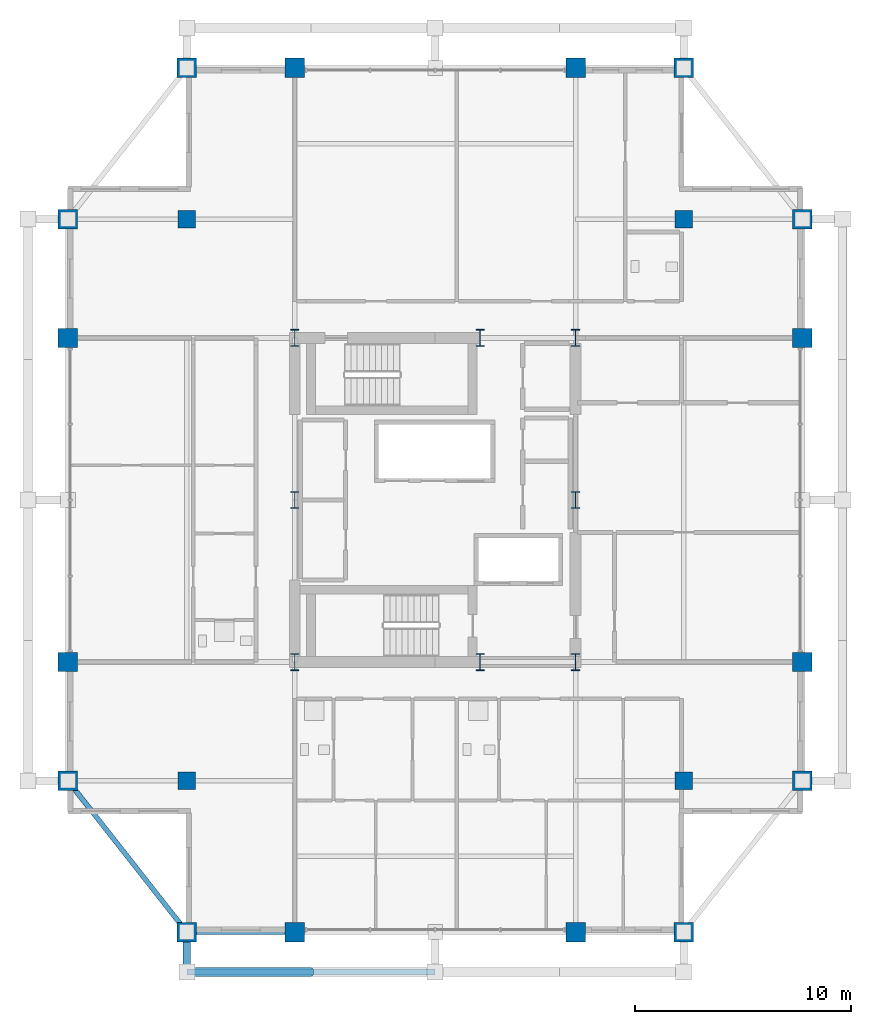
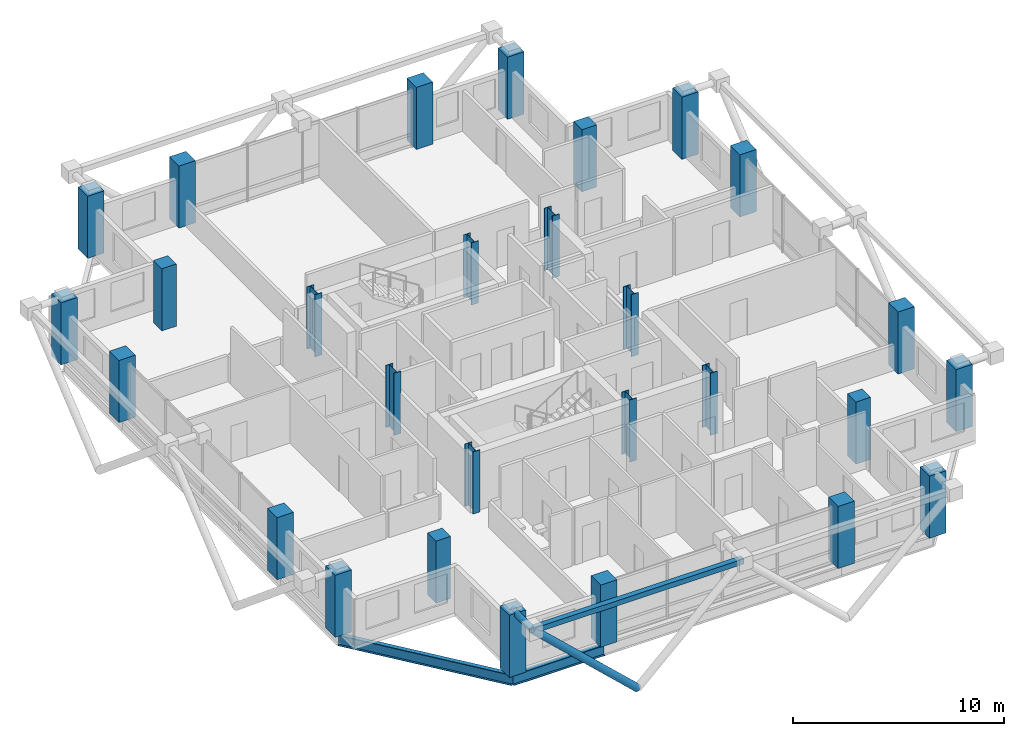
# One storey, part 1 of 25: 28 columns, 3 members, 2 beams.
"""IFC4 building model written with IfcOpenShell, lengths in metres."""

from ifc_helpers import new_model, si_unit, direction, frame, origin, origin_2d, place, context, subcontext, project, spatial, rectangle, hollow_rectangle, hollow_circle, i_section, extrude, material, material_profile, profile_set, type_object, element, save


model = new_model("IFC4")

# Units and contexts
model_context = context("Model", 3, precision=1e-05, world=origin(), true_north=direction((0.0, 1.0)))
body_context = subcontext(model_context, "Body", "Model", "MODEL_VIEW")
ifc_project = project(units=[si_unit("LENGTHUNIT", "METRE"), si_unit("AREAUNIT", "SQUARE_METRE"), si_unit("VOLUMEUNIT", "CUBIC_METRE"), si_unit("PLANEANGLEUNIT", "RADIAN"), si_unit("MASSUNIT", "GRAM", prefix="KILO")], contexts=[model_context])

# Site, building, storey
site_placement = place(None, origin())
site = spatial("IfcSite", under=ifc_project, at=site_placement, CompositionType="ELEMENT")
building_placement = place(site_placement, origin())
building = spatial("IfcBuilding", under=site, at=building_placement, Name="Barlavira Tower and Art Museum", CompositionType="ELEMENT")
storey_placement = place(building_placement, frame((0.0, 0.0, 301.5)))
storey = spatial("IfcBuildingStorey", under=building, at=storey_placement, Name="L79", CompositionType="ELEMENT", Elevation=301.5)

# Columns
ifc_material_1 = material(Name="Steel S355", Category="steel")
ifc_material_profile_1 = material_profile(ifc_material_1, i_section(OverallWidth=0.382080078125, OverallDepth=0.785888671875, WebThickness=0.02001953125, FlangeThickness=0.032958984375, at=origin_2d()), Name="W760x314.0")
ifc_profile_set_1 = profile_set([ifc_material_profile_1], Name="Steel S355")
column_type_1 = type_object("IfcColumnType", Name="Core Composite Column W760x314 Steel S355", PredefinedType="COLUMN", material=ifc_profile_set_1)
for number, where, z_axis, x_axis, name in (
    (1, (-6.5, -7.5, 0.0), (0.0, 0.0, 1.0), (1.0, 0.0, 0.0), "L79 Column CC-L79-C1"),
    (2, (2.080078125, -7.5, 0.0), (0.0, 0.0, 1.0), (1.0, 0.0, 0.0), "L79 Column CC-L79-C2"),
    (3, (6.5, -7.5, 0.0), (0.0, 0.0, 1.0), (1.0, 0.0, 0.0), "L79 Column CC-L79-C3"),
    (4, (-6.5, 0.0, 0.0), (0.0, 0.0, 1.0), (1.0, 0.0, 0.0), "L79 Column CC-L79-C4"),
    (5, (6.5, 0.0, 0.0), (0.0, 0.0, 1.0), (1.0, 0.0, 0.0), "L79 Column CC-L79-C5"),
    (6, (-6.5, 7.5, 0.0), (0.0, 0.0, 1.0), (1.0, 0.0, 0.0), "L79 Column CC-L79-C6"),
    (7, (2.080078125, 7.5, 0.0), (0.0, 0.0, 1.0), (1.0, 0.0, 0.0), "L79 Column CC-L79-C7"),
    (8, (6.5, 7.5, 0.0), (0.0, 0.0, 1.0), (1.0, 0.0, 0.0), "L79 Column CC-L79-C8"),
):
    element("IfcColumn", number, at=place(storey_placement, frame(where, z_axis=z_axis, x_axis=x_axis)), inside=storey, type_object=column_type_1, Name=name, PredefinedType="COLUMN", context=body_context, shape_type="SweptSolid", body=[
        extrude(i_section(OverallWidth=0.382080078125, OverallDepth=0.785888671875, WebThickness=0.02001953125, FlangeThickness=0.032958984375, at=origin_2d()), origin(), (0.0, 0.0, 1.0), 3.60009765625),
    ])
ifc_material_2 = material(Name="Concrete C50", Category="concrete")
ifc_material_profile_2 = material_profile(ifc_material_2, rectangle(XDim=0.89990234375, YDim=0.89990234375, at=origin_2d()), Name="RC-COL 900x900")
ifc_profile_set_2 = profile_set([ifc_material_profile_2], Name="Concrete C50")
column_type_2 = type_object("IfcColumnType", Name="Perimeter Mega Column 900x900 Concrete C50", PredefinedType="USERDEFINED", material=ifc_profile_set_2)
for number, where, z_axis, x_axis, name in (
    (9, (-11.5, -20.0, 0.0), (0.0, 0.0, 1.0), (1.0, 0.0, 0.0), "L79 Column MC-L79-M01"),
    (10, (-6.5, -20.0, 0.0), (0.0, 0.0, 1.0), (1.0, 0.0, 0.0), "L79 Column MC-L79-M02"),
    (11, (6.5, -20.0, 0.0), (0.0, 0.0, 1.0), (1.0, 0.0, 0.0), "L79 Column MC-L79-M03"),
    (12, (11.5, -20.0, 0.0), (0.0, 0.0, 1.0), (1.0, 0.0, 0.0), "L79 Column MC-L79-M04"),
    (13, (17.0, -13.0, 0.0), (0.0, 0.0, 1.0), (1.0, 0.0, 0.0), "L79 Column MC-L79-M05"),
    (14, (17.0, -7.5, 0.0), (0.0, 0.0, 1.0), (1.0, 0.0, 0.0), "L79 Column MC-L79-M06"),
    (15, (17.0, 7.5, 0.0), (0.0, 0.0, 1.0), (1.0, 0.0, 0.0), "L79 Column MC-L79-M07"),
    (16, (17.0, 13.0, 0.0), (0.0, 0.0, 1.0), (1.0, 0.0, 0.0), "L79 Column MC-L79-M08"),
    (17, (11.5, 20.0, 0.0), (0.0, 0.0, 1.0), (1.0, 0.0, 0.0), "L79 Column MC-L79-M09"),
    (18, (6.5, 20.0, 0.0), (0.0, 0.0, 1.0), (1.0, 0.0, 0.0), "L79 Column MC-L79-M10"),
    (19, (-6.5, 20.0, 0.0), (0.0, 0.0, 1.0), (1.0, 0.0, 0.0), "L79 Column MC-L79-M11"),
    (20, (-11.5, 20.0, 0.0), (0.0, 0.0, 1.0), (1.0, 0.0, 0.0), "L79 Column MC-L79-M12"),
    (21, (-17.0, 13.0, 0.0), (0.0, 0.0, 1.0), (1.0, 0.0, 0.0), "L79 Column MC-L79-M13"),
    (22, (-17.0, 7.5, 0.0), (0.0, 0.0, 1.0), (1.0, 0.0, 0.0), "L79 Column MC-L79-M14"),
    (23, (-17.0, -7.5, 0.0), (0.0, 0.0, 1.0), (1.0, 0.0, 0.0), "L79 Column MC-L79-M15"),
    (24, (-17.0, -13.0, 0.0), (0.0, 0.0, 1.0), (1.0, 0.0, 0.0), "L79 Column MC-L79-M16"),
):
    element("IfcColumn", number, at=place(storey_placement, frame(where, z_axis=z_axis, x_axis=x_axis)), inside=storey, type_object=column_type_2, Name=name, ObjectType="MEGA COLUMN", PredefinedType="USERDEFINED", context=body_context, shape_type="SweptSolid", body=[
        extrude(rectangle(XDim=0.89990234375, YDim=0.89990234375, at=origin_2d()), origin(), (0.0, 0.0, 1.0), 3.60009765625),
    ])
ifc_material_profile_3 = material_profile(ifc_material_2, rectangle(XDim=0.800048828125, YDim=0.800048828125, at=origin_2d()), Name="RC-COL 800x800")
ifc_profile_set_3 = profile_set([ifc_material_profile_3], Name="Concrete C50")
column_type_3 = type_object("IfcColumnType", Name="Podium Frame Column 800x800 Concrete C50", PredefinedType="COLUMN", material=ifc_profile_set_3)
for number, where, z_axis, x_axis, name in (
    (25, (-11.5, -13.0, 0.0), (0.0, 0.0, 1.0), (1.0, 0.0, 0.0), "L79 Column CI-L79-I1"),
    (26, (11.5, -13.0, 0.0), (0.0, 0.0, 1.0), (1.0, 0.0, 0.0), "L79 Column CI-L79-I2"),
    (27, (-11.5, 13.0, 0.0), (0.0, 0.0, 1.0), (1.0, 0.0, 0.0), "L79 Column CI-L79-I3"),
    (28, (11.5, 13.0, 0.0), (0.0, 0.0, 1.0), (1.0, 0.0, 0.0), "L79 Column CI-L79-I4"),
):
    element("IfcColumn", number, at=place(storey_placement, frame(where, z_axis=z_axis, x_axis=x_axis)), inside=storey, type_object=column_type_3, Name=name, PredefinedType="COLUMN", context=body_context, shape_type="SweptSolid", body=[
        extrude(rectangle(XDim=0.800048828125, YDim=0.800048828125, at=origin_2d()), origin(), (0.0, 0.0, 1.0), 3.60009765625),
    ])

# Members
ifc_material_profile_4 = material_profile(ifc_material_1, hollow_circle(Radius=0.203125, WallThickness=0.01611328125, at=origin_2d()), Name="CHS 406.4x16.0")
ifc_profile_set_4 = profile_set([ifc_material_profile_4], Name="Steel S355")
member_type_1 = type_object("IfcMemberType", Name="Pale-Metal Exoskeleton Diagrid Tube CHS 406x16 Steel S355", PredefinedType="BRACE", material=ifc_profile_set_4)
member_1_placement = place(storey_placement, frame((-5.75, -21.85009765625, -1.919921875), z_axis=(-0.728950095515, 0.0, 0.684566839869), x_axis=(0.0, -1.0, 0.0)))
element("IfcMember", 29, at=member_1_placement, inside=storey, type_object=member_type_1, Name="L79 Exoskeleton Diagrid Tube S", PredefinedType="BRACE", context=body_context, shape_type="SweptSolid", body=[
    extrude(hollow_circle(Radius=0.203125, WallThickness=0.01611328125, at=origin_2d()), origin(), (0.0, 0.0, 1.0), 7.887939453125),
])
ifc_material_profile_5 = material_profile(ifc_material_1, hollow_circle(Radius=0.177734375, WallThickness=0.01611328125, at=origin_2d()), Name="CHS 355.6x16.0")
ifc_profile_set_5 = profile_set([ifc_material_profile_5], Name="Steel S355")
member_type_2 = type_object("IfcMemberType", Name="Pale-Metal Exoskeleton Tie Strut CHS 356x16 Steel S355", PredefinedType="STRUT", material=ifc_profile_set_5)
member_2_placement = place(storey_placement, frame((-11.5, -21.85009765625, 3.47998046875), z_axis=(0.0, 1.0, 0.0), x_axis=(-1.0, 0.0, 0.0)))
element("IfcMember", 30, at=member_2_placement, inside=storey, type_object=member_type_2, Name="L79 Exoskeleton Top Tie Strut S1", PredefinedType="STRUT", context=body_context, shape_type="SweptSolid", body=[
    extrude(hollow_circle(Radius=0.177734375, WallThickness=0.01611328125, at=origin_2d()), origin(), (0.0, 0.0, 1.0), 1.85009765625),
])
ifc_material_profile_6 = material_profile(ifc_material_1, hollow_rectangle(XDim=0.300048828125, YDim=0.300048828125, WallThickness=0.01611328125, at=origin_2d()), Name="SHS 300x300x16.0")
ifc_profile_set_6 = profile_set([ifc_material_profile_6], Name="Steel S355")
member_type_3 = type_object("IfcMemberType", Name="Pale-Metal Upper Ring Strut SHS 300x300x16 Steel S355", PredefinedType="STRUT", material=ifc_profile_set_6)
member_3_placement = place(storey_placement, frame((-11.5, -21.85009765625, 3.47998046875), z_axis=(1.0, 0.0, 0.0), x_axis=(0.0, 1.0, 0.0)))
element("IfcMember", 31, at=member_3_placement, inside=storey, type_object=member_type_3, Name="L79 Exoskeleton Top Ring Strut S", PredefinedType="STRUT", context=body_context, shape_type="SweptSolid", body=[
    extrude(hollow_rectangle(XDim=0.300048828125, YDim=0.300048828125, WallThickness=0.01611328125, at=origin_2d()), origin(), (0.0, 0.0, 1.0), 11.5),
])

# Beams
ifc_material_profile_7 = material_profile(ifc_material_1, i_section(OverallWidth=0.22998046875, OverallDepth=0.616943359375, WebThickness=0.01318359375, FlangeThickness=0.022216796875, at=origin_2d()), Name="W610x140.0")
ifc_profile_set_7 = profile_set([ifc_material_profile_7], Name="Steel S355")
beam_type = type_object("IfcBeamType", Name="Upper Shaft Spandrel Edge Beam W610x140 Steel S355", PredefinedType="SPANDREL", material=ifc_profile_set_7)
beam_1_placement = place(storey_placement, frame((-11.5, -20.0, -0.528564453125), z_axis=(1.0, 0.0, 0.0), x_axis=(0.0, 1.0, 0.0)))
element("IfcBeam", 32, at=beam_1_placement, inside=storey, type_object=beam_type, Name="L79 Spandrel 1", PredefinedType="SPANDREL", context=body_context, shape_type="SweptSolid", body=[
    extrude(i_section(OverallWidth=0.22998046875, OverallDepth=0.616943359375, WebThickness=0.01318359375, FlangeThickness=0.022216796875, at=origin_2d()), origin(), (0.0, 0.0, 1.0), 5.0),
])
beam_2_placement = place(storey_placement, frame((-17.0, -13.0, -0.528564453125), z_axis=(0.617821551932, -0.786318338822, 0.0), x_axis=(0.786318338822, 0.617821551932, 0.0)))
element("IfcBeam", 33, at=beam_2_placement, inside=storey, type_object=beam_type, Name="L79 Spandrel 16", PredefinedType="SPANDREL", context=body_context, shape_type="SweptSolid", body=[
    extrude(i_section(OverallWidth=0.22998046875, OverallDepth=0.616943359375, WebThickness=0.01318359375, FlangeThickness=0.022216796875, at=origin_2d()), origin(), (0.0, 0.0, 1.0), 8.90234375),
])

save(model, "model.ifc")
